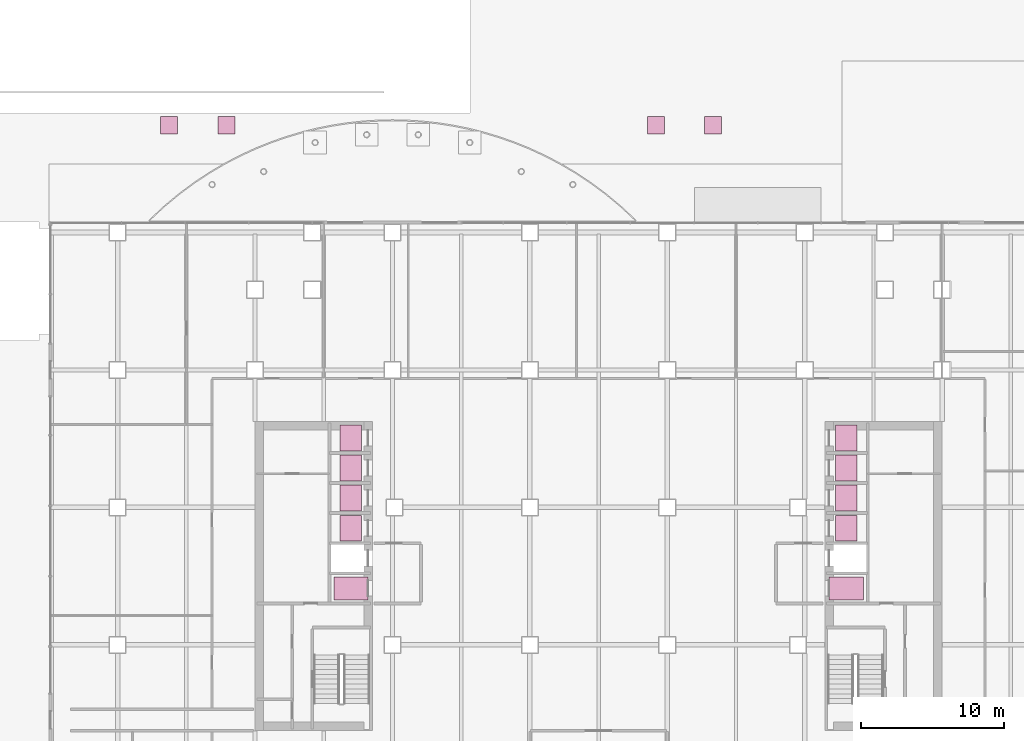
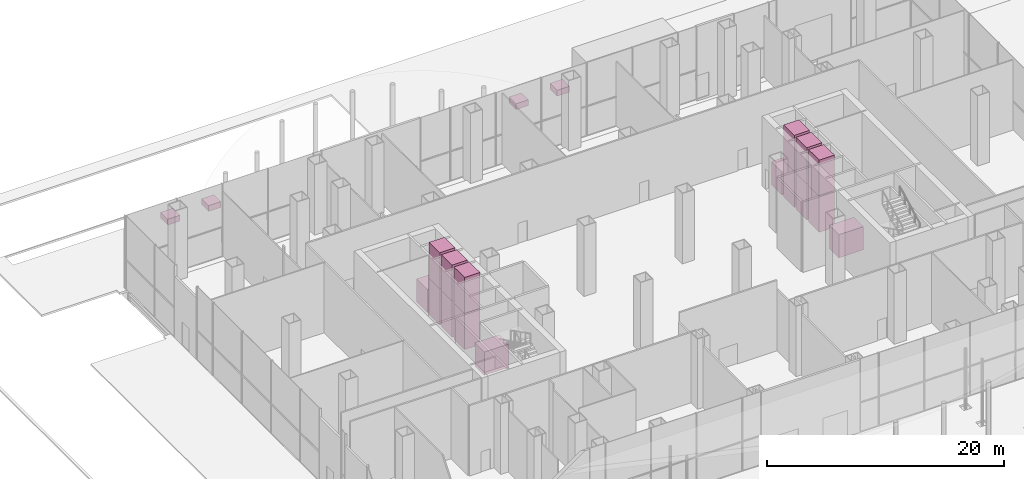
# One storey, part 36 of 36: 16 transport elements, 4 furniture elements.
"""IFC4 building model written with IfcOpenShell, lengths in metres."""

from ifc_helpers import new_model, si_unit, direction, frame, origin, origin_2d, place, context, subcontext, project, spatial, rectangle, extrude, material, type_object, element, save


model = new_model("IFC4")

# Units and contexts
model_context = context("Model", 3, precision=1e-05, world=origin(), true_north=direction((0.0, 1.0)))
body_context = subcontext(model_context, "Body", "Model", "MODEL_VIEW")
ifc_project = project(units=[si_unit("LENGTHUNIT", "METRE"), si_unit("AREAUNIT", "SQUARE_METRE"), si_unit("VOLUMEUNIT", "CUBIC_METRE"), si_unit("PLANEANGLEUNIT", "RADIAN"), si_unit("MASSUNIT", "GRAM", prefix="KILO")], contexts=[model_context])

# Site, building, storey
site_placement = place(None, origin())
site = spatial("IfcSite", under=ifc_project, at=site_placement, CompositionType="ELEMENT")
building_placement = place(site_placement, origin())
building = spatial("IfcBuilding", under=site, at=building_placement, Name="Cobrizo Arcos Hotel Tower", CompositionType="ELEMENT")
storey_placement = place(building_placement, origin())
storey = spatial("IfcBuildingStorey", under=building, at=storey_placement, Name="L00", CompositionType="ELEMENT", Elevation=0.0)

# Transport elements
ifc_material_1 = material(Name="Stainless steel car", Category="steel")
transport_element_type_1 = type_object("IfcTransportElementType", Name="Lift car Ff 1.6x2.4", PredefinedType="ELEVATOR", material=ifc_material_1)
for number, where, z_axis, x_axis, name in (
    (1, (-17.300048828125, -0.85009765625, 0.0), (0.0, 0.0, 1.0), (1.0, 0.0, 0.0), "Firefighting lift W"),
    (2, (17.300048828125, -0.85009765625, 0.0), (0.0, 0.0, 1.0), (1.0, 0.0, 0.0), "Firefighting lift E"),
):
    element("IfcTransportElement", number, at=place(storey_placement, frame(where, z_axis=z_axis, x_axis=x_axis)), inside=storey, type_object=transport_element_type_1, Name=name, PredefinedType="ELEVATOR", context=body_context, shape_type="SweptSolid", body=[
        extrude(rectangle(XDim=2.39990234375, YDim=1.60009765625, at=origin_2d()), origin(), (0.0, 0.0, 1.0), 2.39990234375),
    ])
transport_element_type_2 = type_object("IfcTransportElementType", Name="Lift car Low 1.8x1.5", PredefinedType="ELEVATOR", material=ifc_material_1)
for number, where, z_axis, x_axis, name in (
    (3, (-17.300048828125, 3.35009765625, 0.0), (0.0, 0.0, 1.0), (1.0, 0.0, 0.0), "Low-rise passenger lift W1"),
    (4, (-17.300048828125, 3.35009765625, 3.724853515625), (0.0, 0.0, 1.0), (1.0, 0.0, 0.0), "Low-rise passenger lift W1"),
    (5, (-17.300048828125, 5.449951171875, 0.0), (0.0, 0.0, 1.0), (1.0, 0.0, 0.0), "Low-rise passenger lift W2"),
    (6, (-17.300048828125, 5.449951171875, 3.724853515625), (0.0, 0.0, 1.0), (1.0, 0.0, 0.0), "Low-rise passenger lift W2"),
    (7, (-17.300048828125, 7.550048828125, 0.0), (0.0, 0.0, 1.0), (1.0, 0.0, 0.0), "Low-rise passenger lift W3"),
    (8, (-17.300048828125, 7.550048828125, 3.724853515625), (0.0, 0.0, 1.0), (1.0, 0.0, 0.0), "Low-rise passenger lift W3"),
    (9, (17.300048828125, 3.35009765625, 0.0), (0.0, 0.0, 1.0), (1.0, 0.0, 0.0), "Low-rise passenger lift E1"),
    (10, (17.300048828125, 3.35009765625, 3.724853515625), (0.0, 0.0, 1.0), (1.0, 0.0, 0.0), "Low-rise passenger lift E1"),
    (11, (17.300048828125, 5.449951171875, 0.0), (0.0, 0.0, 1.0), (1.0, 0.0, 0.0), "Low-rise passenger lift E2"),
    (12, (17.300048828125, 5.449951171875, 3.724853515625), (0.0, 0.0, 1.0), (1.0, 0.0, 0.0), "Low-rise passenger lift E2"),
    (13, (17.300048828125, 7.550048828125, 0.0), (0.0, 0.0, 1.0), (1.0, 0.0, 0.0), "Low-rise passenger lift E3"),
    (14, (17.300048828125, 7.550048828125, 3.724853515625), (0.0, 0.0, 1.0), (1.0, 0.0, 0.0), "Low-rise passenger lift E3"),
):
    element("IfcTransportElement", number, at=place(storey_placement, frame(where, z_axis=z_axis, x_axis=x_axis)), inside=storey, type_object=transport_element_type_2, Name=name, PredefinedType="ELEVATOR", context=body_context, shape_type="SweptSolid", body=[
        extrude(rectangle(XDim=1.5, YDim=1.800048828125, at=origin_2d()), origin(), (0.0, 0.0, 1.0), 3.72509765625),
    ])
transport_element_type_3 = type_object("IfcTransportElementType", Name="Lift car Shuttle 1.8x1.5", PredefinedType="ELEVATOR", material=ifc_material_1)
for number, where, z_axis, x_axis, name in (
    (15, (-17.300048828125, 9.64990234375, 0.0), (0.0, 0.0, 1.0), (1.0, 0.0, 0.0), "Shuttle lift W"),
    (16, (17.300048828125, 9.64990234375, 0.0), (0.0, 0.0, 1.0), (1.0, 0.0, 0.0), "Shuttle lift E"),
):
    element("IfcTransportElement", number, at=place(storey_placement, frame(where, z_axis=z_axis, x_axis=x_axis)), inside=storey, type_object=transport_element_type_3, Name=name, PredefinedType="ELEVATOR", context=body_context, shape_type="SweptSolid", body=[
        extrude(rectangle(XDim=1.5, YDim=1.800048828125, at=origin_2d()), origin(), (0.0, 0.0, 1.0), 2.39990234375),
    ])

# Furniture
ifc_material_2 = material(Name="Precast concrete C40/50", Category="concrete")
furniture_type = type_object("IfcFurnitureType", Name="Planter 1200 x 1200 x 600", AssemblyPlace="NOTDEFINED", PredefinedType="USERDEFINED", material=ifc_material_2)
for number, where, z_axis, x_axis, name in (
    (17, (-30.0, 31.5, 0.0), (0.0, 0.0, 1.0), (1.0, 0.0, 0.0), "Planter 1"),
    (18, (-26.0, 31.5, 0.0), (0.0, 0.0, 1.0), (1.0, 0.0, 0.0), "Planter 2"),
    (19, (4.0, 31.5, 0.0), (0.0, 0.0, 1.0), (1.0, 0.0, 0.0), "Planter 3"),
    (20, (8.0, 31.5, 0.0), (0.0, 0.0, 1.0), (1.0, 0.0, 0.0), "Planter 4"),
):
    element("IfcFurniture", number, at=place(storey_placement, frame(where, z_axis=z_axis, x_axis=x_axis)), inside=storey, type_object=furniture_type, Name=name, ObjectType="PLANTER", PredefinedType="USERDEFINED", context=body_context, shape_type="SweptSolid", body=[
        extrude(rectangle(XDim=1.199951171875, YDim=1.199951171875, at=origin_2d()), origin(), (0.0, 0.0, 1.0), 0.60009765625),
    ])

save(model, "model.ifc")
